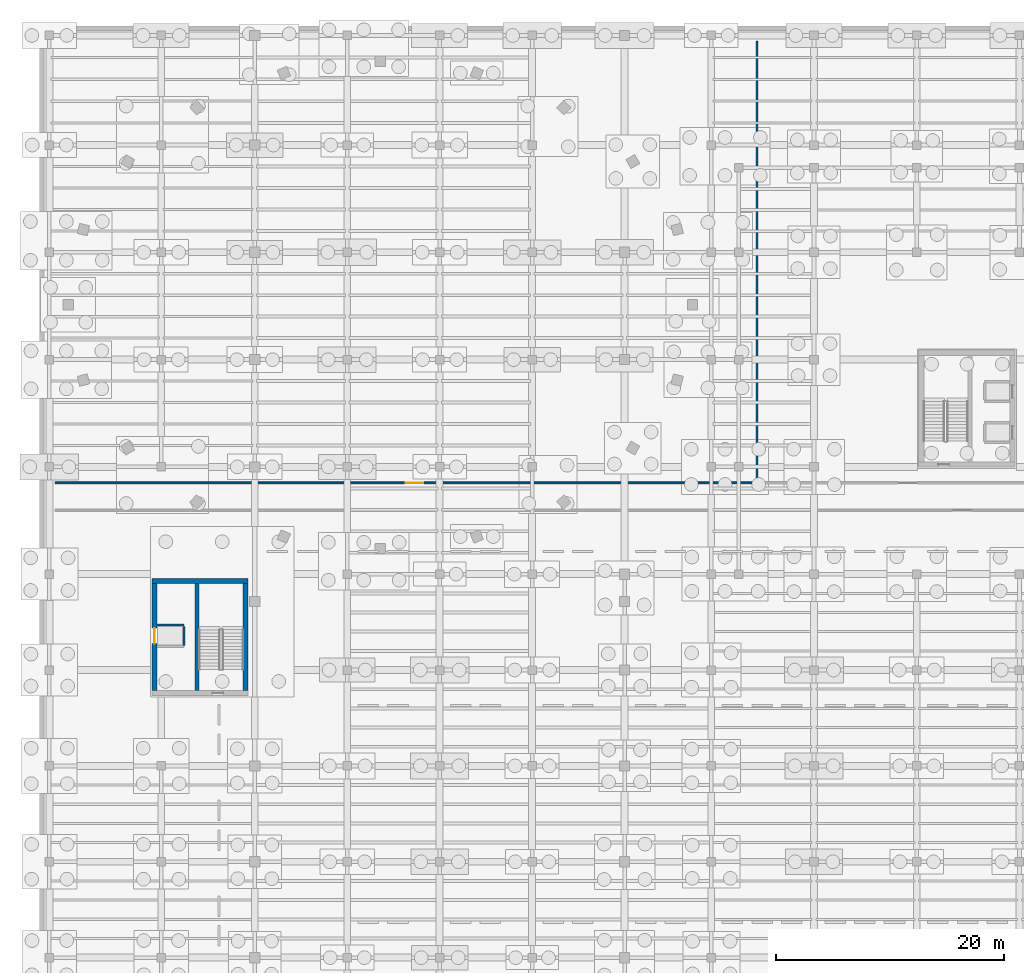
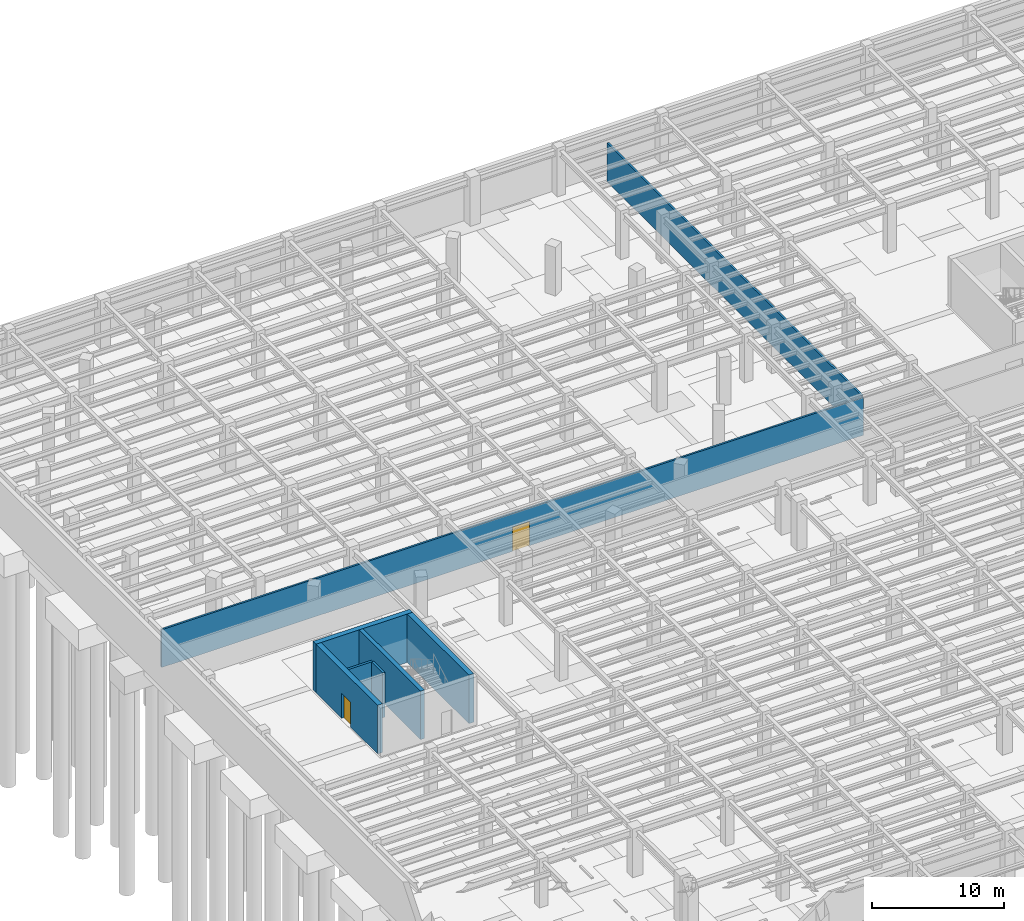
# One storey, part 36 of 49: 8 walls, 2 doors, 2 openings.
"""IFC4 building model written with IfcOpenShell, lengths in metres."""

from ifc_helpers import new_model, si_unit, direction, frame, frame_2d, origin, place, context, subcontext, project, spatial, rectangle, extrude, material, layer, layer_set, type_object, element, fill, save


model = new_model("IFC4")

# Units and contexts
model_context = context("Model", 3, precision=1e-05, world=origin(), true_north=direction((0.0, 1.0)))
body_context = subcontext(model_context, "Body", "Model", "MODEL_VIEW")
ifc_project = project(units=[si_unit("LENGTHUNIT", "METRE"), si_unit("AREAUNIT", "SQUARE_METRE"), si_unit("VOLUMEUNIT", "CUBIC_METRE"), si_unit("PLANEANGLEUNIT", "RADIAN"), si_unit("MASSUNIT", "GRAM", prefix="KILO")], contexts=[model_context])

# Site, building, storey
site_placement = place(None, origin())
site = spatial("IfcSite", under=ifc_project, at=site_placement, CompositionType="ELEMENT")
building_placement = place(site_placement, origin())
building = spatial("IfcBuilding", under=site, at=building_placement, Name="Sollismere Congress Hotel", CompositionType="ELEMENT")
storey_placement = place(building_placement, frame((0.0, 0.0, -4.5)))
storey = spatial("IfcBuildingStorey", under=building, at=storey_placement, Name="B1", CompositionType="ELEMENT", Elevation=-4.5)

# Walls
ifc_material_1 = material(Name="Moisture-Resistant Shaft Gypsum Assembly")
ifc_layer_1 = layer(ifc_material_1, 0.199951171875, Name="Moisture-Resistant Shaft Gypsum Assembly")
ifc_layer_set_1 = layer_set([ifc_layer_1], Name="Moisture-Resistant Shaft Gypsum Assembly")
wall_type_1 = type_object("IfcWallType", Name="WL-PLM200", PredefinedType="PLUMBINGWALL", material=ifc_layer_set_1)
wall_1_placement = place(storey_placement, frame((9.43701171875, 62.344970703125, 0.0), z_axis=(0.0, 0.0, 1.0), x_axis=(1.0, 0.0, 0.0)))
element("IfcWall", 1, at=wall_1_placement, inside=storey, type_object=wall_type_1, Name="Interior wall IW-B1-0637", PredefinedType="PLUMBINGWALL", context=body_context, shape_type="SweptSolid", body=[
    extrude(rectangle(XDim=2.363037109375, YDim=0.199951171875, at=frame_2d((1.181640625, 0.0))), origin(), (0.0, 0.0, 1.0), 4.175048828125),
])
wall_2_placement = place(storey_placement, frame((11.800048828125, 60.56689453125, 0.0), z_axis=(0.0, 0.0, 1.0), x_axis=(0.0, 1.0, 0.0)))
element("IfcWall", 2, at=wall_2_placement, inside=storey, type_object=wall_type_1, Name="Interior wall IW-B1-0638", PredefinedType="PLUMBINGWALL", context=body_context, shape_type="SweptSolid", body=[
    extrude(rectangle(XDim=1.666015625, YDim=0.199951171875, at=frame_2d((0.8330078125, 0.0))), origin(), (0.0, 0.0, 1.0), 4.175048828125),
])

# Wall, opening, door
ifc_material_2 = material(Name="Fire-Rated Acoustic Gypsum Partition")
ifc_layer_2 = layer(ifc_material_2, 0.1650390625, Name="Fire-Rated Acoustic Gypsum Partition")
ifc_layer_set_2 = layer_set([ifc_layer_2], Name="Fire-Rated Acoustic Gypsum Partition")
wall_type_2 = type_object("IfcWallType", Name="WL-PRT165R", PredefinedType="PARTITIONING", material=ifc_layer_set_2)
wall_3_placement = place(storey_placement, frame((0.5, 74.800048828125, 0.0), z_axis=(0.0, 0.0, 1.0), x_axis=(1.0, 0.0, 0.0)))
wall_3 = element("IfcWall", 3, at=wall_3_placement, inside=storey, type_object=wall_type_2, Name="Interior wall IW-B1-0761", PredefinedType="PARTITIONING", context=body_context, shape_type="SweptSolid", body=[
    extrude(rectangle(XDim=61.5, YDim=0.1650390625, at=frame_2d((30.75, 0.0))), origin(), (0.0, 0.0, 1.0), 3.50390625),
])
opening_1_placement = place(wall_3_placement, frame((30.75, 0.0, 0.0)))
opening_1 = element("IfcOpeningElement", 4, at=opening_1_placement, cuts=wall_3, Name="Opening D-B1-0252", PredefinedType="OPENING", context=body_context, shape_type="SweptSolid", body=[
    extrude(rectangle(XDim=1.5, YDim=2.25, at=frame_2d((0.75, 1.125))), frame((0.0, 0.092529296875, 0.0), z_axis=(0.0, -1.0, 0.0), x_axis=(1.0, 0.0, 0.0)), (0.0, 0.0, 1.0), 0.18505859375),
])
ifc_material_3 = material(Name="Fire-Rated Double Plant Room Door")
door_type_1 = type_object("IfcDoorType", Name="DR-PL150", OperationType="NOTDEFINED", PredefinedType="DOOR", material=ifc_material_3)
door_1_placement = place(opening_1_placement, origin())
door_1 = element("IfcDoor", 5, at=door_1_placement, inside=storey, type_object=door_type_1, Name="Interior door D-B1-0252", OperationType="DOUBLE_DOOR_SINGLE_SWING", OverallHeight=2.25, OverallWidth=1.5, PredefinedType="DOOR", context=body_context, shape_type="SweptSolid", body=[
    extrude(rectangle(XDim=1.5, YDim=2.25, at=frame_2d((0.75, 1.125))), frame((0.0, 0.02490234375, 0.0), z_axis=(0.0, -1.0, 0.0), x_axis=(1.0, 0.0, 0.0)), (0.0, 0.0, 1.0), 0.050048828125),
])
fill(opening_1, door_1)

# Walls
wall_4_placement = place(storey_placement, frame((62.0, 74.89453125, 0.0), z_axis=(0.0, 0.0, 1.0), x_axis=(0.0, 1.0, 0.0)))
element("IfcWall", 6, at=wall_4_placement, inside=storey, type_object=wall_type_2, Name="Interior wall IW-B1-0765", PredefinedType="PARTITIONING", context=body_context, shape_type="SweptSolid", body=[
    extrude(rectangle(XDim=38.60546875, YDim=0.1650390625, at=frame_2d((19.302734375, 0.0))), origin(), (0.0, 0.0, 1.0), 3.587890625),
])
ifc_material_4 = material(Name="Concrete C50/60", Category="concrete")
ifc_layer_3 = layer(ifc_material_4, 0.35009765625, Name="Concrete C50/60")
ifc_layer_set_3 = layer_set([ifc_layer_3], Name="Concrete C50/60")
wall_type_3 = type_object("IfcWallType", Name="WL-SHR350", PredefinedType="SHEAR", material=ifc_layer_set_3)
wall_5_placement = place(storey_placement, frame((12.925048828125, 56.625, 0.0), z_axis=(0.0, 0.0, 1.0), x_axis=(0.0, 1.0, 0.0)))
element("IfcWall", 7, at=wall_5_placement, inside=storey, type_object=wall_type_3, Name="Interior wall IW-B1-0635", PredefinedType="SHEAR", context=body_context, shape_type="SweptSolid", body=[
    extrude(rectangle(XDim=9.35009765625, YDim=0.35009765625, at=frame_2d((4.675048828125, 0.0))), origin(), (0.0, 0.0, 1.0), 4.5),
])
ifc_layer_4 = layer(ifc_material_4, 0.449951171875, Name="Concrete C50/60")
ifc_layer_set_4 = layer_set([ifc_layer_4], Name="Concrete C50/60")
wall_type_4 = type_object("IfcWallType", Name="WL-SHR450", PredefinedType="SHEAR", material=ifc_layer_set_4)
wall_6_placement = place(storey_placement, frame((17.425048828125, 66.199951171875, 0.0), z_axis=(0.0, 0.0, 1.0), x_axis=(-1.0, 0.0, 0.0)))
element("IfcWall", 8, at=wall_6_placement, inside=storey, type_object=wall_type_4, Name="Interior wall IW-B1-0632", PredefinedType="SHEAR", context=body_context, shape_type="SweptSolid", body=[
    extrude(rectangle(XDim=8.449951171875, YDim=0.449951171875, at=frame_2d((4.22509765625, 0.0))), origin(), (0.0, 0.0, 1.0), 4.5),
])

# Wall, opening, door
wall_7_placement = place(storey_placement, frame((9.199951171875, 65.97509765625, 0.0), z_axis=(0.0, 0.0, 1.0), x_axis=(0.0, -1.0, 0.0)))
wall_7 = element("IfcWall", 9, at=wall_7_placement, inside=storey, type_object=wall_type_4, Name="Interior wall IW-B1-0633", PredefinedType="SHEAR", context=body_context, shape_type="SweptSolid", body=[
    extrude(rectangle(XDim=9.35009765625, YDim=0.449951171875, at=frame_2d((4.675048828125, 0.0))), origin(), (0.0, 0.0, 1.0), 4.5),
])
opening_2_placement = place(wall_7_placement, frame((3.89990234375, 0.0, 0.0)))
opening_2 = element("IfcOpeningElement", 10, at=opening_2_placement, cuts=wall_7, Name="Opening LD-LS-03-B1", PredefinedType="OPENING", context=body_context, shape_type="SweptSolid", body=[
    extrude(rectangle(XDim=1.35009765625, YDim=2.300048828125, at=frame_2d((0.675048828125, 1.14990234375))), frame((0.0, 0.23486328125, 0.0), z_axis=(0.0, -1.0, 0.0), x_axis=(1.0, 0.0, 0.0)), (0.0, 0.0, 1.0), 0.469970703125),
])
ifc_material_5 = material(Name="Heavy-Duty Stainless Sliding Service Landing Door")
door_type_2 = type_object("IfcDoorType", Name="DR-LD135", OperationType="NOTDEFINED", PredefinedType="DOOR", material=ifc_material_5)
door_2_placement = place(opening_2_placement, origin())
door_2 = element("IfcDoor", 11, at=door_2_placement, inside=storey, type_object=door_type_2, Name="Elevator landing door LD-LS-03-B1", OperationType="SLIDING_TO_LEFT", OverallHeight=2.300048828125, OverallWidth=1.35009765625, PredefinedType="DOOR", context=body_context, shape_type="SweptSolid", body=[
    extrude(rectangle(XDim=1.35009765625, YDim=2.300048828125, at=frame_2d((0.675048828125, 1.14990234375))), frame((0.0, 0.02490234375, 0.0), z_axis=(0.0, -1.0, 0.0), x_axis=(1.0, 0.0, 0.0)), (0.0, 0.0, 1.0), 0.050048828125),
])
fill(opening_2, door_2)

# Wall
wall_8_placement = place(storey_placement, frame((17.199951171875, 56.625, 0.0), z_axis=(0.0, 0.0, 1.0), x_axis=(0.0, 1.0, 0.0)))
element("IfcWall", 12, at=wall_8_placement, inside=storey, type_object=wall_type_4, Name="Interior wall IW-B1-0634", PredefinedType="SHEAR", context=body_context, shape_type="SweptSolid", body=[
    extrude(rectangle(XDim=9.35009765625, YDim=0.449951171875, at=frame_2d((4.675048828125, 0.0))), origin(), (0.0, 0.0, 1.0), 4.5),
])

save(model, "model.ifc")
